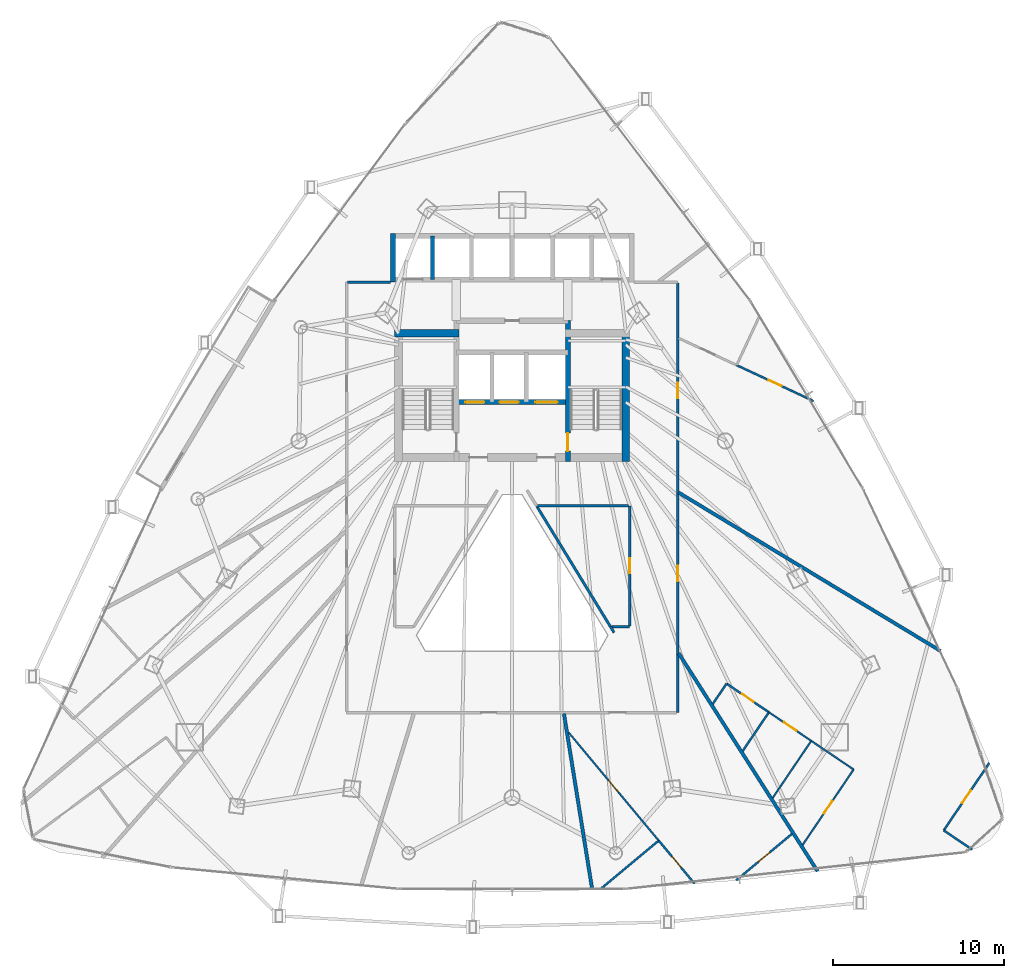
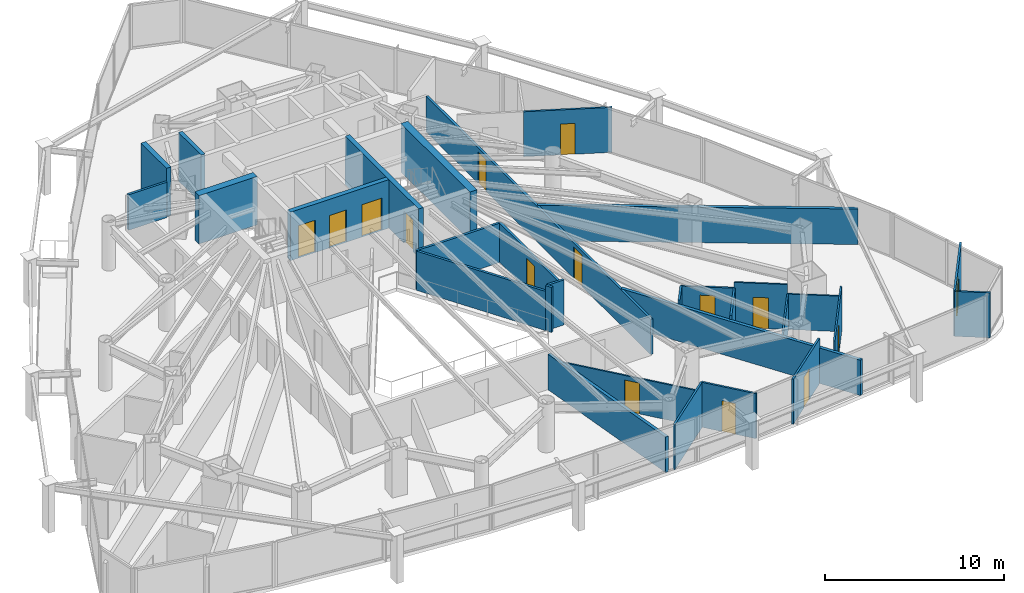
# One storey, part 33 of 38: 30 walls, 15 doors, 15 openings.
"""IFC4 building model written with IfcOpenShell, lengths in metres."""

from ifc_helpers import new_model, si_unit, direction, frame, frame_2d, origin, place, context, subcontext, project, spatial, rectangle, extrude, material, layer, layer_set, type_object, element, fill, save


model = new_model("IFC4")

# Units and contexts
model_context = context("Model", 3, precision=1e-05, world=origin(), true_north=direction((0.0, 1.0)))
body_context = subcontext(model_context, "Body", "Model", "MODEL_VIEW")
ifc_project = project(units=[si_unit("LENGTHUNIT", "METRE"), si_unit("AREAUNIT", "SQUARE_METRE"), si_unit("VOLUMEUNIT", "CUBIC_METRE"), si_unit("PLANEANGLEUNIT", "RADIAN"), si_unit("MASSUNIT", "GRAM", prefix="KILO")], contexts=[model_context])

# Site, building, storey
site_placement = place(None, origin())
site = spatial("IfcSite", under=ifc_project, at=site_placement, CompositionType="ELEMENT")
building_placement = place(site_placement, origin())
building = spatial("IfcBuilding", under=site, at=building_placement, Name="Orvanel Arch Residences", CompositionType="ELEMENT")
storey_placement = place(building_placement, frame((0.0, 0.0, 50.0)))
storey = spatial("IfcBuildingStorey", under=building, at=storey_placement, Name="L13", CompositionType="ELEMENT", Elevation=50.0)

# Wall
ifc_material_1 = material(Name="Concrete N50 (50 MPa)", Category="concrete")
ifc_layer_1 = layer(ifc_material_1, 0.25)
ifc_layer_set_1 = layer_set([ifc_layer_1], Name="Concrete N50 (50 MPa)")
wall_type_1 = type_object("IfcWallType", Name="SW-CORE-250", PredefinedType="SHEAR", material=ifc_layer_set_1)
wall_1_placement = place(storey_placement, frame((28.35009765625, 37.050048828125, 0.0), z_axis=(0.0, 0.0, 1.0), x_axis=(0.0, 1.0, 0.0)))
element("IfcWall", 1, at=wall_1_placement, inside=storey, type_object=wall_type_1, Name="L13 Passenger Lift Inter-Shaft Wall P13", PredefinedType="SHEAR", context=body_context, shape_type="SweptSolid", body=[
    extrude(rectangle(XDim=2.550048828125, YDim=0.25, at=frame_2d((1.27490234375, 0.0))), origin(), (0.0, 0.0, 1.0), 3.300048828125),
])

# Wall, opening, door
ifc_material_2 = material(Name="Concrete S80 (80 MPa)", Category="concrete")
ifc_layer_2 = layer(ifc_material_2, 0.300048828125)
ifc_layer_set_2 = layer_set([ifc_layer_2], Name="Concrete S80 (80 MPa)")
wall_type_2 = type_object("IfcWallType", Name="SW-CORE-300", PredefinedType="SHEAR", material=ifc_layer_set_2)
wall_2_placement = place(storey_placement, frame((36.25, 26.449951171875, 0.0), z_axis=(0.0, 0.0, 1.0), x_axis=(0.0, 1.0, 0.0)))
wall_2 = element("IfcWall", 2, at=wall_2_placement, inside=storey, type_object=wall_type_2, Name="L13 East Inner Core Spine Shear Wall", PredefinedType="SHEAR", context=body_context, shape_type="SweptSolid", body=[
    extrude(rectangle(XDim=8.199951171875, YDim=0.300048828125, at=frame_2d((4.10009765625, 0.0))), origin(), (0.0, 0.0, 1.0), 3.300048828125),
])
opening_1_placement = place(wall_2_placement, frame((0.60009765625, 0.0, 0.0)))
opening_1 = element("IfcOpeningElement", 3, at=opening_1_placement, cuts=wall_2, Name="Opening DF-120", PredefinedType="OPENING", context=body_context, shape_type="SweptSolid", body=[
    extrude(rectangle(XDim=1.050048828125, YDim=2.14990234375, at=frame_2d((0.52490234375, 1.074951171875))), frame((0.0, 0.159912109375, 0.0), z_axis=(0.0, -1.0, 0.0), x_axis=(1.0, 0.0, 0.0)), (0.0, 0.0, 1.0), 0.320068359375),
])
ifc_material_3 = material(Name="Galvanised steel fire-resisting door assembly", Category="steel")
door_type_1 = type_object("IfcDoorType", Name="DR-FD120-1050", OperationType="NOTDEFINED", PredefinedType="DOOR", material=ifc_material_3)
door_1_placement = place(opening_1_placement, origin())
door_1 = element("IfcDoor", 4, at=door_1_placement, inside=storey, type_object=door_type_1, Name="DR-L13-ST2 L13 Stair 2 Fire Door", OperationType="SINGLE_SWING_RIGHT", OverallHeight=2.14990234375, OverallWidth=1.050048828125, PredefinedType="DOOR", context=body_context, shape_type="SweptSolid", body=[
    extrude(rectangle(XDim=1.050048828125, YDim=2.14990234375, at=frame_2d((0.52490234375, 1.074951171875))), frame((0.0, 0.02490234375, 0.0), z_axis=(0.0, -1.0, 0.0), x_axis=(1.0, 0.0, 0.0)), (0.0, 0.0, 1.0), 0.050048828125),
])
fill(opening_1, door_1)

# Wall, openings, doors
wall_3_placement = place(storey_placement, frame((36.25, 29.89990234375, 0.0), z_axis=(0.0, 0.0, 1.0), x_axis=(-1.0, 0.0, 0.0)))
wall_3 = element("IfcWall", 5, at=wall_3_placement, inside=storey, type_object=wall_type_2, Name="L13 Emergency Lift Front Core Shear Wall", PredefinedType="SHEAR", context=body_context, shape_type="SweptSolid", body=[
    extrude(rectangle(XDim=6.5, YDim=0.300048828125, at=frame_2d((3.25, 0.0))), origin(), (0.0, 0.0, 1.0), 3.300048828125),
])
opening_2_placement = place(wall_3_placement, frame((4.875, 0.0, 0.0)))
opening_2 = element("IfcOpeningElement", 6, at=opening_2_placement, cuts=wall_3, Name="Opening LD-110", PredefinedType="OPENING", context=body_context, shape_type="SweptSolid", body=[
    extrude(rectangle(XDim=1.10009765625, YDim=2.199951171875, at=frame_2d((0.550048828125, 1.10009765625))), frame((0.0, 0.159912109375, 0.0), z_axis=(0.0, -1.0, 0.0), x_axis=(1.0, 0.0, 0.0)), (0.0, 0.0, 1.0), 0.320068359375),
])
opening_3_placement = place(wall_3_placement, frame((2.875, 0.0, 0.0)))
opening_3 = element("IfcOpeningElement", 7, at=opening_3_placement, cuts=wall_3, Name="Opening LD-110", PredefinedType="OPENING", context=body_context, shape_type="SweptSolid", body=[
    extrude(rectangle(XDim=1.10009765625, YDim=2.199951171875, at=frame_2d((0.550048828125, 1.10009765625))), frame((0.0, 0.159912109375, 0.0), z_axis=(0.0, -1.0, 0.0), x_axis=(1.0, 0.0, 0.0)), (0.0, 0.0, 1.0), 0.320068359375),
])
opening_4_placement = place(wall_3_placement, frame((0.60009765625, 0.0, 0.0)))
opening_4 = element("IfcOpeningElement", 8, at=opening_4_placement, cuts=wall_3, Name="Opening LD-130", PredefinedType="OPENING", context=body_context, shape_type="SweptSolid", body=[
    extrude(rectangle(XDim=1.300048828125, YDim=2.199951171875, at=frame_2d((0.64990234375, 1.10009765625))), frame((0.0, 0.159912109375, 0.0), z_axis=(0.0, -1.0, 0.0), x_axis=(1.0, 0.0, 0.0)), (0.0, 0.0, 1.0), 0.320068359375),
])
door_type_2 = type_object("IfcDoorType", Name="DR-LFT-1100", OperationType="NOTDEFINED", PredefinedType="DOOR", material=ifc_material_3)
door_2_placement = place(opening_2_placement, origin())
door_2 = element("IfcDoor", 9, at=door_2_placement, inside=storey, type_object=door_type_2, Name="LD-F1-L13 L13 Lift F1 Sliding Landing Door", OperationType="DOUBLE_DOOR_SLIDING", OverallHeight=2.199951171875, OverallWidth=1.10009765625, PredefinedType="DOOR", context=body_context, shape_type="SweptSolid", body=[
    extrude(rectangle(XDim=1.10009765625, YDim=2.199951171875, at=frame_2d((0.550048828125, 1.10009765625))), frame((0.0, 0.02490234375, 0.0), z_axis=(0.0, -1.0, 0.0), x_axis=(1.0, 0.0, 0.0)), (0.0, 0.0, 1.0), 0.050048828125),
])
fill(opening_2, door_2)
door_3_placement = place(opening_3_placement, origin())
door_3 = element("IfcDoor", 10, at=door_3_placement, inside=storey, type_object=door_type_2, Name="LD-F2-L13 L13 Lift F2 Sliding Landing Door", OperationType="DOUBLE_DOOR_SLIDING", OverallHeight=2.199951171875, OverallWidth=1.10009765625, PredefinedType="DOOR", context=body_context, shape_type="SweptSolid", body=[
    extrude(rectangle(XDim=1.10009765625, YDim=2.199951171875, at=frame_2d((0.550048828125, 1.10009765625))), frame((0.0, 0.02490234375, 0.0), z_axis=(0.0, -1.0, 0.0), x_axis=(1.0, 0.0, 0.0)), (0.0, 0.0, 1.0), 0.050048828125),
])
fill(opening_3, door_3)
door_type_3 = type_object("IfcDoorType", Name="DR-LFT-1300", OperationType="NOTDEFINED", PredefinedType="DOOR", material=ifc_material_3)
door_4_placement = place(opening_4_placement, origin())
door_4 = element("IfcDoor", 11, at=door_4_placement, inside=storey, type_object=door_type_3, Name="LD-G1-L13 L13 Lift G1 Sliding Landing Door", OperationType="DOUBLE_DOOR_SLIDING", OverallHeight=2.199951171875, OverallWidth=1.300048828125, PredefinedType="DOOR", context=body_context, shape_type="SweptSolid", body=[
    extrude(rectangle(XDim=1.300048828125, YDim=2.199951171875, at=frame_2d((0.64990234375, 1.10009765625))), frame((0.0, 0.02490234375, 0.0), z_axis=(0.0, -1.0, 0.0), x_axis=(1.0, 0.0, 0.0)), (0.0, 0.0, 1.0), 0.050048828125),
])
fill(opening_4, door_4)

# Walls
wall_4_placement = place(storey_placement, frame((26.050048828125, 36.89990234375, 0.0), z_axis=(0.0, 0.0, 1.0), x_axis=(0.0, 1.0, 0.0)))
element("IfcWall", 12, at=wall_4_placement, inside=storey, type_object=wall_type_2, Name="L13 Passenger Lift Bank West Shear Wall", PredefinedType="SHEAR", context=body_context, shape_type="SweptSolid", body=[
    extrude(rectangle(XDim=2.85009765625, YDim=0.300048828125, at=frame_2d((1.425048828125, 0.0))), origin(), (0.0, 0.0, 1.0), 3.300048828125),
])
ifc_layer_3 = layer(ifc_material_2, 0.449951171875)
ifc_layer_set_3 = layer_set([ifc_layer_3], Name="Concrete S80 (80 MPa)")
wall_type_3 = type_object("IfcWallType", Name="SW-CORE-450", PredefinedType="SHEAR", material=ifc_layer_set_3)
wall_5_placement = place(storey_placement, frame((26.14990234375, 33.925048828125, 0.0), z_axis=(0.0, 0.0, 1.0), x_axis=(1.0, 0.0, 0.0)))
element("IfcWall", 13, at=wall_5_placement, inside=storey, type_object=wall_type_3, Name="L13 West Stair North Shear Wall", PredefinedType="SHEAR", context=body_context, shape_type="SweptSolid", body=[
    extrude(rectangle(XDim=3.75, YDim=0.449951171875, at=frame_2d((1.875, 0.0))), origin(), (0.0, 0.0, 1.0), 3.300048828125),
])
wall_6_placement = place(storey_placement, frame((39.625, 26.449951171875, 0.0), z_axis=(0.0, 0.0, 1.0), x_axis=(0.0, 1.0, 0.0)))
element("IfcWall", 14, at=wall_6_placement, inside=storey, type_object=wall_type_3, Name="L13 East Stair Shear Wall", PredefinedType="SHEAR", context=body_context, shape_type="SweptSolid", body=[
    extrude(rectangle(XDim=7.699951171875, YDim=0.449951171875, at=frame_2d((3.85009765625, 0.0))), origin(), (0.0, 0.0, 1.0), 3.300048828125),
])

# Wall, openings, doors
ifc_material_4 = material(Name="Fire-rated plasterboard lined steel stud partition", Category="steel")
ifc_layer_4 = layer(ifc_material_4, 0.14990234375)
ifc_layer_set_4 = layer_set([ifc_layer_4], Name="Fire-rated plasterboard lined steel stud partition")
wall_type_4 = type_object("IfcWallType", Name="W-COR-150", PredefinedType="PARTITIONING", material=ifc_layer_set_4)
wall_7_placement = place(storey_placement, frame((42.64990234375, 36.840087890625, 0.0), z_axis=(0.0, 0.0, 1.0), x_axis=(0.0, -1.0, 0.0)))
wall_7 = element("IfcWall", 15, at=wall_7_placement, inside=storey, type_object=wall_type_4, Name="L13 Corridor Fire-Rated Partition", PredefinedType="PARTITIONING", context=body_context, shape_type="SweptSolid", body=[
    extrude(rectangle(XDim=25.0400390625, YDim=0.14990234375, at=frame_2d((12.52001953125, 0.0))), origin(), (0.0, 0.0, 1.0), 2.4130859375),
])
opening_5_placement = place(wall_7_placement, frame((16.466064453125, 0.0, 0.0)))
opening_5 = element("IfcOpeningElement", 16, at=opening_5_placement, cuts=wall_7, Name="Opening DA-092", PredefinedType="OPENING", context=body_context, shape_type="SweptSolid", body=[
    extrude(rectangle(XDim=0.919921875, YDim=2.14990234375, at=frame_2d((0.4599609375, 1.074951171875))), frame((0.0, 0.0849609375, 0.0), z_axis=(0.0, -1.0, 0.0), x_axis=(1.0, 0.0, 0.0)), (0.0, 0.0, 1.0), 0.169921875),
])
opening_6_placement = place(wall_7_placement, frame((5.7958984375, 0.0, 0.0)))
opening_6 = element("IfcOpeningElement", 17, at=opening_6_placement, cuts=wall_7, Name="Opening DA-092", PredefinedType="OPENING", context=body_context, shape_type="SweptSolid", body=[
    extrude(rectangle(XDim=0.919921875, YDim=2.14990234375, at=frame_2d((0.4599609375, 1.074951171875))), frame((0.0, 0.0849609375, 0.0), z_axis=(0.0, -1.0, 0.0), x_axis=(1.0, 0.0, 0.0)), (0.0, 0.0, 1.0), 0.169921875),
])
ifc_material_5 = material(Name="Solid-core European oak veneer fire door leaf", Category="wood")
door_type_4 = type_object("IfcDoorType", Name="DR-APT-920", OperationType="NOTDEFINED", PredefinedType="DOOR", material=ifc_material_5)
door_5_placement = place(opening_5_placement, origin())
door_5 = element("IfcDoor", 18, at=door_5_placement, inside=storey, type_object=door_type_4, Name="DR-L13-B-ENT L13 Studio B Entrance Door", OperationType="SINGLE_SWING_LEFT", OverallHeight=2.14990234375, OverallWidth=0.919921875, PredefinedType="DOOR", context=body_context, shape_type="SweptSolid", body=[
    extrude(rectangle(XDim=0.919921875, YDim=2.14990234375, at=frame_2d((0.4599609375, 1.074951171875))), frame((0.0, 0.02490234375, 0.0), z_axis=(0.0, -1.0, 0.0), x_axis=(1.0, 0.0, 0.0)), (0.0, 0.0, 1.0), 0.050048828125),
])
fill(opening_5, door_5)
door_6_placement = place(opening_6_placement, origin())
door_6 = element("IfcDoor", 19, at=door_6_placement, inside=storey, type_object=door_type_4, Name="DR-L13-D-ENT L13 Studio D Entrance Door", OperationType="SINGLE_SWING_LEFT", OverallHeight=2.14990234375, OverallWidth=0.919921875, PredefinedType="DOOR", context=body_context, shape_type="SweptSolid", body=[
    extrude(rectangle(XDim=0.919921875, YDim=2.14990234375, at=frame_2d((0.4599609375, 1.074951171875))), frame((0.0, 0.02490234375, 0.0), z_axis=(0.0, -1.0, 0.0), x_axis=(1.0, 0.0, 0.0)), (0.0, 0.0, 1.0), 0.050048828125),
])
fill(opening_6, door_6)

# Walls
wall_8_placement = place(storey_placement, frame((23.409912109375, 36.89990234375, 0.0), z_axis=(0.0, 0.0, 1.0), x_axis=(1.0, 0.0, 0.0)))
element("IfcWall", 20, at=wall_8_placement, inside=storey, type_object=wall_type_4, Name="L13 Corridor Fire-Rated Partition", PredefinedType="PARTITIONING", context=body_context, shape_type="SweptSolid", body=[
    extrude(rectangle(XDim=2.489990234375, YDim=0.14990234375, at=frame_2d((1.2451171875, 0.0))), origin(), (0.0, 0.0, 1.0), 2.4130859375),
])
wall_9_placement = place(storey_placement, frame((38.94189453125, 16.462890625, 0.0), z_axis=(0.0, 0.0, 1.0), x_axis=(-0.511932152937, 0.859025884819, 0.0)))
element("IfcWall", 21, at=wall_9_placement, inside=storey, type_object=wall_type_4, Name="L13 Corridor Fire-Rated Partition", PredefinedType="PARTITIONING", context=body_context, shape_type="SweptSolid", body=[
    extrude(rectangle(XDim=0.392578125, YDim=0.14990234375, at=frame_2d((0.1962890625, 0.0))), origin(), (0.0, 0.0, 1.0), 3.06005859375),
])
wall_10_placement = place(storey_placement, frame((38.81103515625, 16.800048828125, 0.0), z_axis=(0.0, 0.0, 1.0), x_axis=(1.0, 0.0, 0.0)))
element("IfcWall", 22, at=wall_10_placement, inside=storey, type_object=wall_type_4, Name="L13 Corridor Fire-Rated Partition", PredefinedType="PARTITIONING", context=body_context, shape_type="SweptSolid", body=[
    extrude(rectangle(XDim=1.0390625, YDim=0.14990234375, at=frame_2d((0.51953125, 0.0))), origin(), (0.0, 0.0, 1.0), 3.06005859375),
])

# Wall, opening, door
wall_11_placement = place(storey_placement, frame((39.85009765625, 16.860107421875, 0.0), z_axis=(0.0, 0.0, 1.0), x_axis=(0.0, 1.0, 0.0)))
wall_11 = element("IfcWall", 23, at=wall_11_placement, inside=storey, type_object=wall_type_4, Name="L13 Corridor Fire-Rated Partition", PredefinedType="PARTITIONING", context=body_context, shape_type="SweptSolid", body=[
    extrude(rectangle(XDim=6.989990234375, YDim=0.14990234375, at=frame_2d((3.4951171875, 0.0))), origin(), (0.0, 0.0, 1.0), 2.6689453125),
])
opening_7_placement = place(wall_11_placement, frame((3.054931640625, 0.0, 0.0)))
opening_7 = element("IfcOpeningElement", 24, at=opening_7_placement, cuts=wall_11, Name="Opening DI-088", PredefinedType="OPENING", context=body_context, shape_type="SweptSolid", body=[
    extrude(rectangle(XDim=0.8798828125, YDim=2.10009765625, at=frame_2d((0.43994140625, 1.050048828125))), frame((0.0, 0.0849609375, 0.0), z_axis=(0.0, -1.0, 0.0), x_axis=(1.0, 0.0, 0.0)), (0.0, 0.0, 1.0), 0.169921875),
])
door_type_5 = type_object("IfcDoorType", Name="DR-INT-880", OperationType="NOTDEFINED", PredefinedType="DOOR", material=ifc_material_5)
door_7_placement = place(opening_7_placement, origin())
door_7 = element("IfcDoor", 25, at=door_7_placement, inside=storey, type_object=door_type_5, Name="DR-L13-SHRD-FB9 L13 Co-Working Study Office I Door", OperationType="SINGLE_SWING_LEFT", OverallHeight=2.10009765625, OverallWidth=0.8798828125, PredefinedType="DOOR", context=body_context, shape_type="SweptSolid", body=[
    extrude(rectangle(XDim=0.8798828125, YDim=2.10009765625, at=frame_2d((0.43994140625, 1.050048828125))), frame((0.0, 0.02490234375, 0.0), z_axis=(0.0, -1.0, 0.0), x_axis=(1.0, 0.0, 0.0)), (0.0, 0.0, 1.0), 0.050048828125),
])
fill(opening_7, door_7)

# Walls
wall_12_placement = place(storey_placement, frame((39.7900390625, 23.85009765625, 0.0), z_axis=(0.0, 0.0, 1.0), x_axis=(-1.0, 0.0, 0.0)))
element("IfcWall", 26, at=wall_12_placement, inside=storey, type_object=wall_type_4, Name="L13 Corridor Fire-Rated Partition", PredefinedType="PARTITIONING", context=body_context, shape_type="SweptSolid", body=[
    extrude(rectangle(XDim=5.358154296875, YDim=0.14990234375, at=frame_2d((2.67919921875, 0.0))), origin(), (0.0, 0.0, 1.0), 2.6689453125),
])
wall_13_placement = place(storey_placement, frame((34.462890625, 23.7900390625, 0.0), z_axis=(0.0, 0.0, 1.0), x_axis=(0.521566895949, -0.853210392019, 0.0)))
element("IfcWall", 27, at=wall_13_placement, inside=storey, type_object=wall_type_4, Name="L13 Atrium Overlook Glazed Partition", PredefinedType="PARTITIONING", context=body_context, shape_type="SweptSolid", body=[
    extrude(rectangle(XDim=8.19482421875, YDim=0.14990234375, at=frame_2d((4.097412109375, 0.0))), origin(), (0.0, 0.0, 1.0), 2.6689453125),
])
ifc_layer_5 = layer(ifc_material_4, 0.199951171875)
ifc_layer_set_5 = layer_set([ifc_layer_5], Name="Fire-rated plasterboard lined steel stud partition")
wall_type_5 = type_object("IfcWallType", Name="W-DEM-200", PredefinedType="PARTITIONING", material=ifc_layer_set_5)
wall_14_placement = place(storey_placement, frame((42.7099609375, 24.6279296875, 0.0), z_axis=(0.0, 0.0, 1.0), x_axis=(0.85570509792, -0.517463801047, 0.0)))
element("IfcWall", 28, at=wall_14_placement, inside=storey, type_object=wall_type_5, Name="L13 Inter-Tenancy Acoustic Demising Wall", PredefinedType="PARTITIONING", context=body_context, shape_type="SweptSolid", body=[
    extrude(rectangle(XDim=17.860107421875, YDim=0.199951171875, at=frame_2d((8.93017578125, 0.0))), origin(), (0.0, 0.0, 1.0), 2.4130859375),
])
wall_15_placement = place(storey_placement, frame((50.81005859375, 2.5439453125, 0.0), z_axis=(0.0, 0.0, 1.0), x_axis=(-0.537314491885, 0.843381963769, 0.0)))
element("IfcWall", 29, at=wall_15_placement, inside=storey, type_object=wall_type_5, Name="L13 Inter-Tenancy Acoustic Demising Wall", PredefinedType="PARTITIONING", context=body_context, shape_type="SweptSolid", body=[
    extrude(rectangle(XDim=15.0751953125, YDim=0.199951171875, at=frame_2d((7.53759765625, 0.0))), origin(), (0.0, 0.0, 1.0), 2.4130859375),
])
wall_16_placement = place(storey_placement, frame((36.01904296875, 11.739990234375, 0.0), z_axis=(0.0, 0.0, 1.0), x_axis=(0.158816201081, -0.98730816581, 0.0)))
element("IfcWall", 30, at=wall_16_placement, inside=storey, type_object=wall_type_5, Name="L13 Inter-Tenancy Acoustic Demising Wall", PredefinedType="PARTITIONING", context=body_context, shape_type="SweptSolid", body=[
    extrude(rectangle(XDim=10.401123046875, YDim=0.199951171875, at=frame_2d((5.20068359375, 0.0))), origin(), (0.0, 0.0, 1.0), 2.4130859375),
])

# Wall, opening, door
ifc_material_6 = material(Name="Acoustic plasterboard lined twin-stud partition", Category="gypsum")
ifc_layer_6 = layer(ifc_material_6, 0.10009765625)
ifc_layer_set_6 = layer_set([ifc_layer_6], Name="Acoustic plasterboard lined twin-stud partition")
wall_type_6 = type_object("IfcWallType", Name="W-INT-100", PredefinedType="PARTITIONING", material=ifc_layer_set_6)
wall_17_placement = place(storey_placement, frame((49.93603515625, 4.073974609375, 0.0), z_axis=(0.0, 0.0, 1.0), x_axis=(0.560030395854, 0.828472060917, 0.0)))
wall_17 = element("IfcWall", 31, at=wall_17_placement, inside=storey, type_object=wall_type_6, Name="L13 Studio B Internal Partition", PredefinedType="PARTITIONING", context=body_context, shape_type="SweptSolid", body=[
    extrude(rectangle(XDim=5.31591796875, YDim=0.10009765625, at=frame_2d((2.657958984375, 0.0))), origin(), (0.0, 0.0, 1.0), 3.06005859375),
])
opening_8_placement = place(wall_17_placement, frame((2.218017578125, 0.0, 0.0)))
opening_8 = element("IfcOpeningElement", 32, at=opening_8_placement, cuts=wall_17, Name="Opening DI-088", PredefinedType="OPENING", context=body_context, shape_type="SweptSolid", body=[
    extrude(rectangle(XDim=0.8798828125, YDim=2.10009765625, at=frame_2d((0.43994140625, 1.050048828125))), frame((0.0, 0.06005859375, 0.0), z_axis=(0.0, -1.0, 0.0), x_axis=(1.0, 0.0, 0.0)), (0.0, 0.0, 1.0), 0.1201171875),
])
door_8_placement = place(opening_8_placement, origin())
door_8 = element("IfcDoor", 33, at=door_8_placement, inside=storey, type_object=door_type_5, Name="DR-L13-B-AME1 L13 Studio B Resident Reading Library 1 Door", OperationType="SINGLE_SWING_LEFT", OverallHeight=2.10009765625, OverallWidth=0.8798828125, PredefinedType="DOOR", context=body_context, shape_type="SweptSolid", body=[
    extrude(rectangle(XDim=0.8798828125, YDim=2.10009765625, at=frame_2d((0.43994140625, 1.050048828125))), frame((0.0, 0.02490234375, 0.0), z_axis=(0.0, -1.0, 0.0), x_axis=(1.0, 0.0, 0.0)), (0.0, 0.0, 1.0), 0.050048828125),
])
fill(opening_8, door_8)

# Wall
wall_18_placement = place(storey_placement, frame((52.9130859375, 8.47802734375, 0.0), z_axis=(0.0, 0.0, 1.0), x_axis=(-0.828429805787, 0.560092900226, 0.0)))
element("IfcWall", 34, at=wall_18_placement, inside=storey, type_object=wall_type_6, Name="L13 Studio B Internal Partition", PredefinedType="PARTITIONING", context=body_context, shape_type="SweptSolid", body=[
    extrude(rectangle(XDim=2.9814453125, YDim=0.10009765625, at=frame_2d((1.49072265625, 0.0))), origin(), (0.0, 0.0, 1.0), 2.4130859375),
])

# Wall, opening, door
wall_19_placement = place(storey_placement, frame((50.443115234375, 10.14794921875, 0.0), z_axis=(0.0, 0.0, 1.0), x_axis=(-0.828607449923, 0.559830058082, 0.0)))
wall_19 = element("IfcWall", 35, at=wall_19_placement, inside=storey, type_object=wall_type_6, Name="L13 Studio B Internal Partition", PredefinedType="PARTITIONING", context=body_context, shape_type="SweptSolid", body=[
    extrude(rectangle(XDim=2.981201171875, YDim=0.10009765625, at=frame_2d((1.49072265625, 0.0))), origin(), (0.0, 0.0, 1.0), 3.06005859375),
])
opening_9_placement = place(wall_19_placement, frame((1.051025390625, 0.0, 0.0)))
opening_9 = element("IfcOpeningElement", 36, at=opening_9_placement, cuts=wall_19, Name="Opening DI-088", PredefinedType="OPENING", context=body_context, shape_type="SweptSolid", body=[
    extrude(rectangle(XDim=0.8798828125, YDim=2.10009765625, at=frame_2d((0.43994140625, 1.050048828125))), frame((0.0, 0.06005859375, 0.0), z_axis=(0.0, -1.0, 0.0), x_axis=(1.0, 0.0, 0.0)), (0.0, 0.0, 1.0), 0.1201171875),
])
door_9_placement = place(opening_9_placement, origin())
door_9 = element("IfcDoor", 37, at=door_9_placement, inside=storey, type_object=door_type_5, Name="DR-L13-B-AME2 L13 Studio B Resident Reading Library 2 Door", OperationType="SINGLE_SWING_LEFT", OverallHeight=2.10009765625, OverallWidth=0.8798828125, PredefinedType="DOOR", context=body_context, shape_type="SweptSolid", body=[
    extrude(rectangle(XDim=0.8798828125, YDim=2.10009765625, at=frame_2d((0.43994140625, 1.050048828125))), frame((0.0, 0.02490234375, 0.0), z_axis=(0.0, -1.0, 0.0), x_axis=(1.0, 0.0, 0.0)), (0.0, 0.0, 1.0), 0.050048828125),
])
fill(opening_9, door_9)

# Wall
wall_20_placement = place(storey_placement, frame((48.18994140625, 6.81494140625, 0.0), z_axis=(0.0, 0.0, 1.0), x_axis=(0.560052199206, 0.828457321873, 0.0)))
element("IfcWall", 38, at=wall_20_placement, inside=storey, type_object=wall_type_6, Name="L13 Studio B Internal Partition", PredefinedType="PARTITIONING", context=body_context, shape_type="SweptSolid", body=[
    extrude(rectangle(XDim=4.023193359375, YDim=0.10009765625, at=frame_2d((2.01171875, 0.0))), origin(), (0.0, 0.0, 1.0), 2.4130859375),
])

# Wall, opening, door
wall_21_placement = place(storey_placement, frame((41.547119140625, 4.3310546875, 0.0), z_axis=(0.0, 0.0, 1.0), x_axis=(-0.640035566376, 0.768345282913, 0.0)))
wall_21 = element("IfcWall", 39, at=wall_21_placement, inside=storey, type_object=wall_type_6, Name="L13 Studio F Internal Partition", PredefinedType="PARTITIONING", context=body_context, shape_type="SweptSolid", body=[
    extrude(rectangle(XDim=8.2294921875, YDim=0.10009765625, at=frame_2d((4.11474609375, 0.0))), origin(), (0.0, 0.0, 1.0), 2.4130859375),
])
opening_10_placement = place(wall_21_placement, frame((3.675048828125, 0.0, 0.0)))
opening_10 = element("IfcOpeningElement", 40, at=opening_10_placement, cuts=wall_21, Name="Opening DI-088", PredefinedType="OPENING", context=body_context, shape_type="SweptSolid", body=[
    extrude(rectangle(XDim=0.8798828125, YDim=2.10009765625, at=frame_2d((0.43994140625, 1.050048828125))), frame((0.0, 0.06005859375, 0.0), z_axis=(0.0, -1.0, 0.0), x_axis=(1.0, 0.0, 0.0)), (0.0, 0.0, 1.0), 0.1201171875),
])
door_10_placement = place(opening_10_placement, origin())
door_10 = element("IfcDoor", 41, at=door_10_placement, inside=storey, type_object=door_type_5, Name="DR-L13-F-DIN1 L13 Studio F Dining Room 1 Door", OperationType="SINGLE_SWING_LEFT", OverallHeight=2.10009765625, OverallWidth=0.8798828125, PredefinedType="DOOR", context=body_context, shape_type="SweptSolid", body=[
    extrude(rectangle(XDim=0.8798828125, YDim=2.10009765625, at=frame_2d((0.43994140625, 1.050048828125))), frame((0.0, 0.02490234375, 0.0), z_axis=(0.0, -1.0, 0.0), x_axis=(1.0, 0.0, 0.0)), (0.0, 0.0, 1.0), 0.050048828125),
])
fill(opening_10, door_10)

ifc_layer_7 = layer(ifc_material_6, 0.1201171875)
ifc_layer_set_7 = layer_set([ifc_layer_7], Name="Acoustic plasterboard lined twin-stud partition")
wall_type_7 = type_object("IfcWallType", Name="W-WET-120", PredefinedType="PARTITIONING", material=ifc_layer_set_7)
wall_22_placement = place(storey_placement, frame((47.972900390625, 11.81689453125, 0.0), z_axis=(0.0, 0.0, 1.0), x_axis=(-0.82839181121, 0.560149093653, 0.0)))
wall_22 = element("IfcWall", 42, at=wall_22_placement, inside=storey, type_object=wall_type_7, Name="L13 Studio B Bathroom Partition", PredefinedType="PARTITIONING", context=body_context, shape_type="SweptSolid", body=[
    extrude(rectangle(XDim=2.981689453125, YDim=0.1201171875, at=frame_2d((1.49072265625, 0.0))), origin(), (0.0, 0.0, 1.0), 2.6689453125),
])
opening_11_placement = place(wall_22_placement, frame((1.0810546875, 0.0, 0.0)))
opening_11 = element("IfcOpeningElement", 43, at=opening_11_placement, cuts=wall_22, Name="Opening DW-082", PredefinedType="OPENING", context=body_context, shape_type="SweptSolid", body=[
    extrude(rectangle(XDim=0.820068359375, YDim=2.10009765625, at=frame_2d((0.41015625, 1.050048828125))), frame((0.0, 0.070068359375, 0.0), z_axis=(0.0, -1.0, 0.0), x_axis=(1.0, 0.0, 0.0)), (0.0, 0.0, 1.0), 0.14013671875),
])
door_type_6 = type_object("IfcDoorType", Name="DR-WET-820", OperationType="NOTDEFINED", PredefinedType="DOOR", material=ifc_material_5)
door_11_placement = place(opening_11_placement, origin())
door_11 = element("IfcDoor", 44, at=door_11_placement, inside=storey, type_object=door_type_6, Name="DR-L13-B-BATH L13 Studio B Bathroom Door", OperationType="SINGLE_SWING_RIGHT", OverallHeight=2.10009765625, OverallWidth=0.820068359375, PredefinedType="DOOR", context=body_context, shape_type="SweptSolid", body=[
    extrude(rectangle(XDim=0.820068359375, YDim=2.10009765625, at=frame_2d((0.41015625, 1.050048828125))), frame((0.0, 0.02490234375, 0.0), z_axis=(0.0, -1.0, 0.0), x_axis=(1.0, 0.0, 0.0)), (0.0, 0.0, 1.0), 0.050048828125),
])
fill(opening_11, door_11)

# Wall
wall_23_placement = place(storey_placement, frame((45.5029296875, 13.487060546875, 0.0), z_axis=(0.0, 0.0, 1.0), x_axis=(-0.559901526605, -0.828559159328, 0.0)))
element("IfcWall", 45, at=wall_23_placement, inside=storey, type_object=wall_type_7, Name="L13 Studio B Bathroom Partition", PredefinedType="PARTITIONING", context=body_context, shape_type="SweptSolid", body=[
    extrude(rectangle(XDim=1.437744140625, YDim=0.1201171875, at=frame_2d((0.71875, 0.0))), origin(), (0.0, 0.0, 1.0), 2.6689453125),
])

# Wall, opening, door
wall_24_placement = place(storey_placement, frame((60.824951171875, 8.85498046875, 0.0), z_axis=(0.0, 0.0, 1.0), x_axis=(-0.560046533867, -0.828461151716, 0.0)))
wall_24 = element("IfcWall", 46, at=wall_24_placement, inside=storey, type_object=wall_type_7, Name="L13 Studio B Internal Partition", PredefinedType="PARTITIONING", context=body_context, shape_type="SweptSolid", body=[
    extrude(rectangle(XDim=4.742431640625, YDim=0.1201171875, at=frame_2d((2.37109375, 0.0))), origin(), (0.0, 0.0, 1.0), 3.06005859375),
])
opening_12_placement = place(wall_24_placement, frame((1.930908203125, 0.0, 0.0)))
opening_12 = element("IfcOpeningElement", 47, at=opening_12_placement, cuts=wall_24, Name="Opening DI-088", PredefinedType="OPENING", context=body_context, shape_type="SweptSolid", body=[
    extrude(rectangle(XDim=0.8798828125, YDim=2.10009765625, at=frame_2d((0.43994140625, 1.050048828125))), frame((0.0, 0.070068359375, 0.0), z_axis=(0.0, -1.0, 0.0), x_axis=(1.0, 0.0, 0.0)), (0.0, 0.0, 1.0), 0.14013671875),
])
door_12_placement = place(opening_12_placement, origin())
door_12 = element("IfcDoor", 48, at=door_12_placement, inside=storey, type_object=door_type_5, Name="DR-L13-B-KIT L13 Studio B Kitchenette Door", OperationType="SINGLE_SWING_LEFT", OverallHeight=2.10009765625, OverallWidth=0.8798828125, PredefinedType="DOOR", context=body_context, shape_type="SweptSolid", body=[
    extrude(rectangle(XDim=0.8798828125, YDim=2.10009765625, at=frame_2d((0.43994140625, 1.050048828125))), frame((0.0, 0.02490234375, 0.0), z_axis=(0.0, -1.0, 0.0), x_axis=(1.0, 0.0, 0.0)), (0.0, 0.0, 1.0), 0.050048828125),
])
fill(opening_12, door_12)

# Walls
wall_25_placement = place(storey_placement, frame((58.1689453125, 4.926025390625, 0.0), z_axis=(0.0, 0.0, 1.0), x_axis=(0.828391626579, -0.560149366699, 0.0)))
element("IfcWall", 49, at=wall_25_placement, inside=storey, type_object=wall_type_7, Name="L13 Studio B Internal Partition", PredefinedType="PARTITIONING", context=body_context, shape_type="SweptSolid", body=[
    extrude(rectangle(XDim=2.00146484375, YDim=0.1201171875, at=frame_2d((1.000732421875, 0.0))), origin(), (0.0, 0.0, 1.0), 3.06005859375),
])
wall_26_placement = place(storey_placement, frame((47.972900390625, 11.81689453125, 0.0), z_axis=(0.0, 0.0, 1.0), x_axis=(-0.559971898906, -0.828511600665, 0.0)))
element("IfcWall", 50, at=wall_26_placement, inside=storey, type_object=wall_type_7, Name="L13 Studio B Bathroom Partition", PredefinedType="PARTITIONING", context=body_context, shape_type="SweptSolid", body=[
    extrude(rectangle(XDim=2.730224609375, YDim=0.1201171875, at=frame_2d((1.365234375, 0.0))), origin(), (0.0, 0.0, 1.0), 2.6689453125),
])

# Wall, opening, door
wall_27_placement = place(storey_placement, frame((46.091064453125, 32.05810546875, 0.0), z_axis=(0.0, 0.0, 1.0), x_axis=(0.906338250566, -0.422552926343, 0.0)))
wall_27 = element("IfcWall", 51, at=wall_27_placement, inside=storey, type_object=wall_type_7, Name="L13 Studio D Bathroom Partition", PredefinedType="PARTITIONING", context=body_context, shape_type="SweptSolid", body=[
    extrude(rectangle(XDim=4.944091796875, YDim=0.1201171875, at=frame_2d((2.47216796875, 0.0))), origin(), (0.0, 0.0, 1.0), 3.06005859375),
])
opening_13_placement = place(wall_27_placement, frame((2.06201171875, 0.0, 0.0)))
opening_13 = element("IfcOpeningElement", 52, at=opening_13_placement, cuts=wall_27, Name="Opening DW-082", PredefinedType="OPENING", context=body_context, shape_type="SweptSolid", body=[
    extrude(rectangle(XDim=0.820068359375, YDim=2.10009765625, at=frame_2d((0.41015625, 1.050048828125))), frame((0.0, 0.070068359375, 0.0), z_axis=(0.0, -1.0, 0.0), x_axis=(1.0, 0.0, 0.0)), (0.0, 0.0, 1.0), 0.14013671875),
])
door_13_placement = place(opening_13_placement, origin())
door_13 = element("IfcDoor", 53, at=door_13_placement, inside=storey, type_object=door_type_6, Name="DR-L13-D-BATH L13 Studio D Bathroom Door", OperationType="SINGLE_SWING_RIGHT", OverallHeight=2.10009765625, OverallWidth=0.820068359375, PredefinedType="DOOR", context=body_context, shape_type="SweptSolid", body=[
    extrude(rectangle(XDim=0.820068359375, YDim=2.10009765625, at=frame_2d((0.41015625, 1.050048828125))), frame((0.0, 0.02490234375, 0.0), z_axis=(0.0, -1.0, 0.0), x_axis=(1.0, 0.0, 0.0)), (0.0, 0.0, 1.0), 0.050048828125),
])
fill(opening_13, door_13)

wall_28_placement = place(storey_placement, frame((43.634033203125, 1.824951171875, 0.0), z_axis=(0.0, 0.0, 1.0), x_axis=(-0.639911914418, 0.768448268777, 0.0)))
wall_28 = element("IfcWall", 54, at=wall_28_placement, inside=storey, type_object=wall_type_7, Name="L13 Studio F Bathroom Partition", PredefinedType="PARTITIONING", context=body_context, shape_type="SweptSolid", body=[
    extrude(rectangle(XDim=3.26123046875, YDim=0.1201171875, at=frame_2d((1.630615234375, 0.0))), origin(), (0.0, 0.0, 1.0), 3.06005859375),
])
opening_14_placement = place(wall_28_placement, frame((1.220947265625, 0.0, 0.0)))
opening_14 = element("IfcOpeningElement", 55, at=opening_14_placement, cuts=wall_28, Name="Opening DW-082", PredefinedType="OPENING", context=body_context, shape_type="SweptSolid", body=[
    extrude(rectangle(XDim=0.820068359375, YDim=2.10009765625, at=frame_2d((0.41015625, 1.050048828125))), frame((0.0, 0.070068359375, 0.0), z_axis=(0.0, -1.0, 0.0), x_axis=(1.0, 0.0, 0.0)), (0.0, 0.0, 1.0), 0.14013671875),
])
door_14_placement = place(opening_14_placement, origin())
door_14 = element("IfcDoor", 56, at=door_14_placement, inside=storey, type_object=door_type_6, Name="DR-L13-F-BATH L13 Studio F Bathroom Door", OperationType="SINGLE_SWING_RIGHT", OverallHeight=2.10009765625, OverallWidth=0.820068359375, PredefinedType="DOOR", context=body_context, shape_type="SweptSolid", body=[
    extrude(rectangle(XDim=0.820068359375, YDim=2.10009765625, at=frame_2d((0.41015625, 1.050048828125))), frame((0.0, 0.02490234375, 0.0), z_axis=(0.0, -1.0, 0.0), x_axis=(1.0, 0.0, 0.0)), (0.0, 0.0, 1.0), 0.050048828125),
])
fill(opening_14, door_14)

wall_29_placement = place(storey_placement, frame((49.320068359375, 4.72509765625, 0.0), z_axis=(0.0, 0.0, 1.0), x_axis=(-0.768353158093, -0.640026112317, 0.0)))
wall_29 = element("IfcWall", 57, at=wall_29_placement, inside=storey, type_object=wall_type_7, Name="L13 Studio F Internal Partition", PredefinedType="PARTITIONING", context=body_context, shape_type="SweptSolid", body=[
    extrude(rectangle(XDim=4.248291015625, YDim=0.1201171875, at=frame_2d((2.1240234375, 0.0))), origin(), (0.0, 0.0, 1.0), 3.06005859375),
])
opening_15_placement = place(wall_29_placement, frame((1.68408203125, 0.0, 0.0)))
opening_15 = element("IfcOpeningElement", 58, at=opening_15_placement, cuts=wall_29, Name="Opening DI-088", PredefinedType="OPENING", context=body_context, shape_type="SweptSolid", body=[
    extrude(rectangle(XDim=0.8798828125, YDim=2.10009765625, at=frame_2d((0.43994140625, 1.050048828125))), frame((0.0, 0.070068359375, 0.0), z_axis=(0.0, -1.0, 0.0), x_axis=(1.0, 0.0, 0.0)), (0.0, 0.0, 1.0), 0.14013671875),
])
door_15_placement = place(opening_15_placement, origin())
door_15 = element("IfcDoor", 59, at=door_15_placement, inside=storey, type_object=door_type_5, Name="DR-L13-F-KIT L13 Studio F Kitchenette Door", OperationType="SINGLE_SWING_LEFT", OverallHeight=2.10009765625, OverallWidth=0.8798828125, PredefinedType="DOOR", context=body_context, shape_type="SweptSolid", body=[
    extrude(rectangle(XDim=0.8798828125, YDim=2.10009765625, at=frame_2d((0.43994140625, 1.050048828125))), frame((0.0, 0.02490234375, 0.0), z_axis=(0.0, -1.0, 0.0), x_axis=(1.0, 0.0, 0.0)), (0.0, 0.0, 1.0), 0.050048828125),
])
fill(opening_15, door_15)

# Wall
wall_30_placement = place(storey_placement, frame((38.1220703125, 1.47802734375, 0.0), z_axis=(0.0, 0.0, 1.0), x_axis=(0.768351451836, 0.640028160678, 0.0)))
element("IfcWall", 60, at=wall_30_placement, inside=storey, type_object=wall_type_7, Name="L13 Studio F Bathroom Partition", PredefinedType="PARTITIONING", context=body_context, shape_type="SweptSolid", body=[
    extrude(rectangle(XDim=4.457763671875, YDim=0.1201171875, at=frame_2d((2.22900390625, 0.0))), origin(), (0.0, 0.0, 1.0), 3.06005859375),
])

save(model, "model.ifc")
